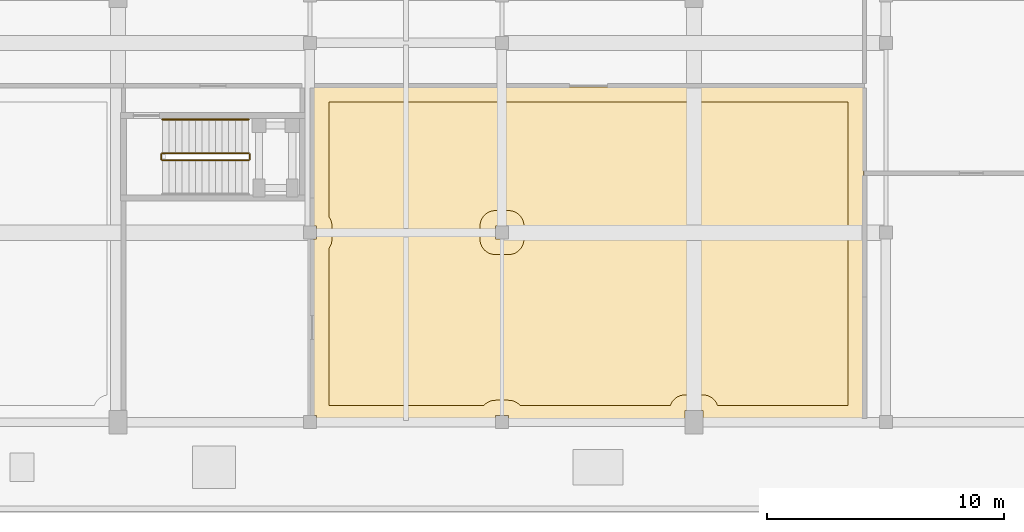
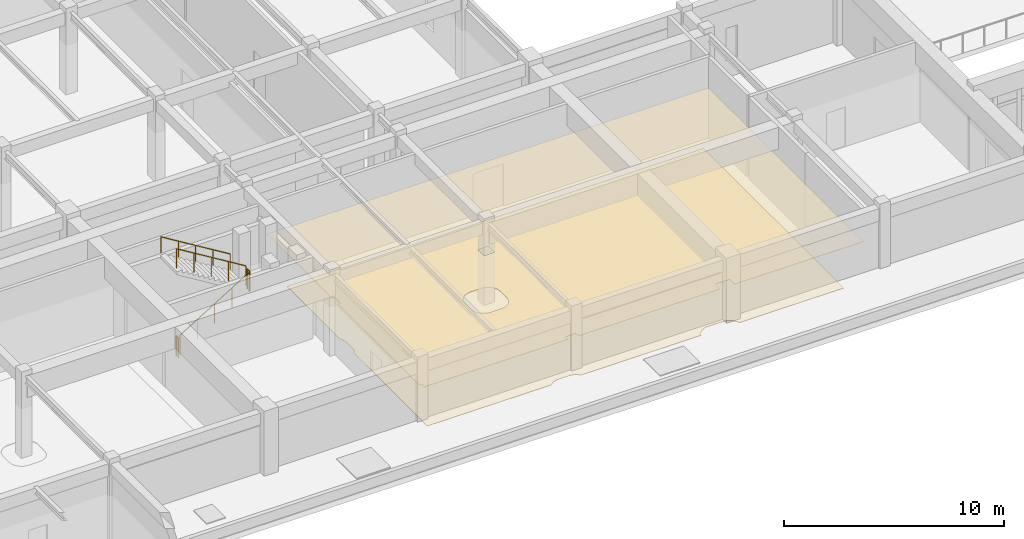
# One storey, part 52 of 61: 5 railings, 2 coverings.
"""IFC4 building model written with IfcOpenShell, lengths in metres."""

from ifc_helpers import new_model, si_unit, direction, frame, origin, origin_2d, place, context, subcontext, project, spatial, polyline, circle, outline, extrude, material, layer, layer_set, type_object, element, save


model = new_model("IFC4")

# Units and contexts
model_context = context("Model", 3, precision=1e-05, world=origin(), true_north=direction((0.0, 1.0)))
body_context = subcontext(model_context, "Body", "Model", "MODEL_VIEW")
ifc_project = project(units=[si_unit("LENGTHUNIT", "METRE"), si_unit("AREAUNIT", "SQUARE_METRE"), si_unit("VOLUMEUNIT", "CUBIC_METRE"), si_unit("PLANEANGLEUNIT", "RADIAN"), si_unit("MASSUNIT", "GRAM", prefix="KILO")], contexts=[model_context])

# Site, building, storey
site_placement = place(None, origin())
site = spatial("IfcSite", under=ifc_project, at=site_placement, CompositionType="ELEMENT")
building_placement = place(site_placement, origin())
building = spatial("IfcBuilding", under=site, at=building_placement, Name="Tarnveldt Square Police Headquarters", CompositionType="ELEMENT")
storey_placement = place(building_placement, frame((0.0, 0.0, 5.39990234375)))
storey = spatial("IfcBuildingStorey", under=building, at=storey_placement, Name="L01", CompositionType="ELEMENT", Elevation=5.39990234375)

# Coverings
ifc_material_1 = material(Name="Mineral-fibre acoustic ceiling tile", Category="gypsum")
ifc_layer_1 = layer(ifc_material_1, 0.02001953125)
ifc_layer_set_1 = layer_set([ifc_layer_1], Name="Mineral-fibre acoustic ceiling tile")
covering_type_1 = type_object("IfcCoveringType", Name="COV-CEIL-20", PredefinedType="CEILING", material=ifc_layer_set_1)
covering_1_placement = place(storey_placement, frame((0.0, 0.0, 2.75)))
element("IfcCovering", 1, at=covering_1_placement, inside=storey, type_object=covering_type_1, Name="Community Briefing and Assembly Room Acoustic Ceiling", PredefinedType="CEILING", context=body_context, shape_type="SweptSolid", body=[
    extrude(outline(polyline([(32.550048828125, 30.14990234375), (55.75, 30.14990234375), (55.75, 16.050048828125), (48.97705078125, 16.050048828125), (48.97705078125, 16.501953125), (48.222900390625, 16.501953125), (48.222900390625, 16.050048828125), (40.777099609375, 16.050048828125), (40.777099609375, 16.277099609375), (40.222900390625, 16.277099609375), (40.222900390625, 16.050048828125), (32.677001953125, 16.050048828125), (32.677001953125, 16.277099609375), (32.550048828125, 16.277099609375), (32.550048828125, 23.722900390625), (32.677001953125, 23.722900390625), (32.677001953125, 24.277099609375), (32.550048828125, 24.277099609375), (32.550048828125, 30.14990234375)]), holes=[polyline([(40.777099609375, 24.277099609375), (40.222900390625, 24.277099609375), (40.222900390625, 23.722900390625), (40.777099609375, 23.722900390625), (40.777099609375, 24.277099609375)])]), origin(), (0.0, 0.0, 1.0), 0.02001953125),
])
ifc_material_2 = material(Name="Polished cementitious terrazzo flooring", Category="concrete")
ifc_layer_2 = layer(ifc_material_2, 0.02490234375)
ifc_layer_set_2 = layer_set([ifc_layer_2], Name="Polished cementitious terrazzo flooring")
covering_type_2 = type_object("IfcCoveringType", Name="COV-FLR-25", PredefinedType="FLOORING", material=ifc_layer_set_2)
covering_2_placement = place(storey_placement, origin())
element("IfcCovering", 2, at=covering_2_placement, inside=storey, type_object=covering_type_2, Name="Community Briefing and Assembly Room Terrazzo Finish Flooring", PredefinedType="FLOORING", context=body_context, shape_type="SweptSolid", body=[
    extrude(outline(polyline([(33.199951171875, 16.699951171875), (33.199951171875, 23.33837890625), (33.217529296875, 23.36181640625), (33.250244140625, 23.41650390625), (33.277587890625, 23.474365234375), (33.299072265625, 23.534423828125), (33.314453125, 23.59619140625), (33.323974609375, 23.6591796875), (33.326904296875, 23.722900390625), (33.326904296875, 24.277099609375), (33.323974609375, 24.3408203125), (33.314453125, 24.40380859375), (33.299072265625, 24.465576171875), (33.277587890625, 24.525634765625), (33.250244140625, 24.58349609375), (33.217529296875, 24.63818359375), (33.199951171875, 24.66162109375), (33.199951171875, 29.5), (55.10009765625, 29.5), (55.10009765625, 16.699951171875), (49.595703125, 16.699951171875), (49.57763671875, 16.750732421875), (49.55029296875, 16.808349609375), (49.517333984375, 16.863037109375), (49.4794921875, 16.914306640625), (49.4365234375, 16.961669921875), (49.389404296875, 17.00439453125), (49.338134765625, 17.04248046875), (49.283447265625, 17.0751953125), (49.225830078125, 17.1025390625), (49.165771484375, 17.1240234375), (49.103759765625, 17.139404296875), (49.040771484375, 17.14892578125), (48.97705078125, 17.152099609375), (48.222900390625, 17.152099609375), (48.1591796875, 17.14892578125), (48.09619140625, 17.139404296875), (48.034423828125, 17.1240234375), (47.974365234375, 17.1025390625), (47.91650390625, 17.0751953125), (47.86181640625, 17.04248046875), (47.810546875, 17.00439453125), (47.763427734375, 16.961669921875), (47.720458984375, 16.914306640625), (47.6826171875, 16.863037109375), (47.649658203125, 16.808349609375), (47.62255859375, 16.750732421875), (47.604248046875, 16.699951171875), (41.269775390625, 16.699951171875), (41.236572265625, 16.736572265625), (41.189453125, 16.779541015625), (41.13818359375, 16.8173828125), (41.08349609375, 16.850341796875), (41.025634765625, 16.87744140625), (40.965576171875, 16.89892578125), (40.90380859375, 16.91455078125), (40.8408203125, 16.923828125), (40.777099609375, 16.927001953125), (40.222900390625, 16.927001953125), (40.1591796875, 16.923828125), (40.09619140625, 16.91455078125), (40.034423828125, 16.89892578125), (39.974365234375, 16.87744140625), (39.91650390625, 16.850341796875), (39.86181640625, 16.8173828125), (39.810546875, 16.779541015625), (39.763427734375, 16.736572265625), (39.730224609375, 16.699951171875), (33.199951171875, 16.699951171875)]), holes=[polyline([(41.427001953125, 24.277099609375), (41.423828125, 24.3408203125), (41.41455078125, 24.40380859375), (41.39892578125, 24.465576171875), (41.37744140625, 24.525634765625), (41.350341796875, 24.58349609375), (41.3173828125, 24.63818359375), (41.279541015625, 24.689453125), (41.236572265625, 24.736572265625), (41.189453125, 24.779541015625), (41.13818359375, 24.8173828125), (41.08349609375, 24.850341796875), (41.025634765625, 24.87744140625), (40.965576171875, 24.89892578125), (40.90380859375, 24.91455078125), (40.8408203125, 24.923828125), (40.777099609375, 24.927001953125), (40.222900390625, 24.927001953125), (40.1591796875, 24.923828125), (40.09619140625, 24.91455078125), (40.034423828125, 24.89892578125), (39.974365234375, 24.87744140625), (39.91650390625, 24.850341796875), (39.86181640625, 24.8173828125), (39.810546875, 24.779541015625), (39.763427734375, 24.736572265625), (39.720458984375, 24.689453125), (39.6826171875, 24.63818359375), (39.649658203125, 24.58349609375), (39.62255859375, 24.525634765625), (39.60107421875, 24.465576171875), (39.58544921875, 24.40380859375), (39.576171875, 24.3408203125), (39.572998046875, 24.277099609375), (39.572998046875, 23.722900390625), (39.576171875, 23.6591796875), (39.58544921875, 23.59619140625), (39.60107421875, 23.534423828125), (39.62255859375, 23.474365234375), (39.649658203125, 23.41650390625), (39.6826171875, 23.36181640625), (39.720458984375, 23.310546875), (39.763427734375, 23.263427734375), (39.810546875, 23.220458984375), (39.86181640625, 23.1826171875), (39.91650390625, 23.149658203125), (39.974365234375, 23.12255859375), (40.034423828125, 23.10107421875), (40.09619140625, 23.08544921875), (40.1591796875, 23.076171875), (40.222900390625, 23.072998046875), (40.777099609375, 23.072998046875), (40.8408203125, 23.076171875), (40.90380859375, 23.08544921875), (40.965576171875, 23.10107421875), (41.025634765625, 23.12255859375), (41.08349609375, 23.149658203125), (41.13818359375, 23.1826171875), (41.189453125, 23.220458984375), (41.236572265625, 23.263427734375), (41.279541015625, 23.310546875), (41.3173828125, 23.36181640625), (41.350341796875, 23.41650390625), (41.37744140625, 23.474365234375), (41.39892578125, 23.534423828125), (41.41455078125, 23.59619140625), (41.423828125, 23.6591796875), (41.427001953125, 23.722900390625), (41.427001953125, 24.277099609375)])]), origin(), (0.0, 0.0, 1.0), 0.025146484375),
])

# Railings
ifc_material_3 = material(Name="Steel 350W", Category="steel")
railing_type_1 = type_object("IfcRailingType", Name="RL-GR-1100", PredefinedType="GUARDRAIL", material=ifc_material_3)
railing_1_placement = place(storey_placement, frame((26.169921875, 27.050048828125, 0.171630859375)))
element("IfcRailing", 3, at=railing_1_placement, inside=storey, type_object=railing_type_1, Name="L01 ST6 stair guard 1", PredefinedType="GUARDRAIL", context=body_context, shape_type="SweptSolid", body=[
    extrude(circle(Radius=0.02392578125, at=origin_2d()), frame((0.0, 0.0, 1.076171875), z_axis=(0.852865859571, 0.0, 0.52213008492), x_axis=(0.0, 1.0, 0.0)), (0.0, 0.0, 1.0), 4.26806640625),
    extrude(circle(Radius=0.02099609375, at=origin_2d()), origin(), (0.0, 0.0, 1.0), 1.052001953125),
    extrude(circle(Radius=0.02099609375, at=origin_2d()), frame((0.91015625, 0.0, 0.55712890625)), (0.0, 0.0, 1.0), 1.052001953125),
    extrude(circle(Radius=0.02099609375, at=origin_2d()), frame((1.820068359375, 0.0, 1.1142578125)), (0.0, 0.0, 1.0), 1.052001953125),
    extrude(circle(Radius=0.02099609375, at=origin_2d()), frame((2.72998046875, 0.0, 1.67138671875)), (0.0, 0.0, 1.0), 1.052001953125),
    extrude(circle(Radius=0.02099609375, at=origin_2d()), frame((3.64013671875, 0.0, 2.228515625)), (0.0, 0.0, 1.0), 1.052001953125),
])
railing_2_placement = place(storey_placement, frame((29.860107421875, 27.10009765625, 2.400146484375)))
element("IfcRailing", 4, at=railing_2_placement, inside=storey, type_object=railing_type_1, Name="L01 ST6 stair guard 2", PredefinedType="GUARDRAIL", context=body_context, shape_type="SweptSolid", body=[
    extrude(circle(Radius=0.02392578125, at=origin_2d()), frame((0.0, 0.0, 1.076171875), z_axis=(0.0, 1.0, 0.0), x_axis=(-1.0, 0.0, 0.0)), (0.0, 0.0, 1.0), 0.199951171875),
    extrude(circle(Radius=0.02099609375, at=origin_2d()), origin(), (0.0, 0.0, 1.0), 1.052001953125),
    extrude(circle(Radius=0.02099609375, at=origin_2d()), frame((0.0, 0.199951171875, 0.0)), (0.0, 0.0, 1.0), 1.052001953125),
])
railing_3_placement = place(storey_placement, frame((29.81005859375, 27.35009765625, 2.571533203125)))
element("IfcRailing", 5, at=railing_3_placement, inside=storey, type_object=railing_type_1, Name="L01 ST6 stair guard 3", PredefinedType="GUARDRAIL", context=body_context, shape_type="SweptSolid", body=[
    extrude(circle(Radius=0.02392578125, at=origin_2d()), frame((0.0, 0.0, 1.076171875), z_axis=(-0.852865859571, 0.0, 0.52213008492), x_axis=(0.0, -1.0, 0.0)), (0.0, 0.0, 1.0), 4.26806640625),
    extrude(circle(Radius=0.02099609375, at=origin_2d()), origin(), (0.0, 0.0, 1.0), 1.052001953125),
    extrude(circle(Radius=0.02099609375, at=origin_2d()), frame((-0.91015625, 0.0, 0.55712890625)), (0.0, 0.0, 1.0), 1.052001953125),
    extrude(circle(Radius=0.02099609375, at=origin_2d()), frame((-1.820068359375, 0.0, 1.1142578125)), (0.0, 0.0, 1.0), 1.052001953125),
    extrude(circle(Radius=0.02099609375, at=origin_2d()), frame((-2.72998046875, 0.0, 1.67138671875)), (0.0, 0.0, 1.0), 1.052001953125),
    extrude(circle(Radius=0.02099609375, at=origin_2d()), frame((-3.64013671875, 0.0, 2.228515625)), (0.0, 0.0, 1.0), 1.052001953125),
])
railing_4_placement = place(storey_placement, frame((26.1201171875, 27.10009765625, 0.0)))
element("IfcRailing", 6, at=railing_4_placement, inside=storey, type_object=railing_type_1, Name="L01 ST6 stair guard 4", PredefinedType="GUARDRAIL", context=body_context, shape_type="SweptSolid", body=[
    extrude(circle(Radius=0.02392578125, at=origin_2d()), frame((0.0, 0.0, 1.076171875), z_axis=(0.0, 1.0, 0.0), x_axis=(-1.0, 0.0, 0.0)), (0.0, 0.0, 1.0), 0.199951171875),
    extrude(circle(Radius=0.02099609375, at=origin_2d()), origin(), (0.0, 0.0, 1.0), 1.052001953125),
    extrude(circle(Radius=0.02099609375, at=origin_2d()), frame((0.0, 0.199951171875, 0.0)), (0.0, 0.0, 1.0), 1.052001953125),
])
railing_type_2 = type_object("IfcRailingType", Name="RL-HR-900", PredefinedType="HANDRAIL", material=ifc_material_3)
railing_5_placement = place(storey_placement, frame((29.81005859375, 28.77001953125, 2.571533203125)))
element("IfcRailing", 7, at=railing_5_placement, inside=storey, type_object=railing_type_2, Name="L01 ST6 stair handrail 2", PredefinedType="HANDRAIL", context=body_context, shape_type="SweptSolid", body=[
    extrude(circle(Radius=0.02392578125, at=origin_2d()), frame((0.0, 0.0, 0.8759765625), z_axis=(-0.852865859571, 0.0, 0.52213008492), x_axis=(0.0, -1.0, 0.0)), (0.0, 0.0, 1.0), 4.26806640625),
    extrude(circle(Radius=0.02099609375, at=origin_2d()), origin(), (0.0, 0.0, 1.0), 0.851806640625),
    extrude(circle(Radius=0.02099609375, at=origin_2d()), frame((-0.91015625, 0.0, 0.55712890625)), (0.0, 0.0, 1.0), 0.851806640625),
    extrude(circle(Radius=0.02099609375, at=origin_2d()), frame((-1.820068359375, 0.0, 1.1142578125)), (0.0, 0.0, 1.0), 0.851806640625),
    extrude(circle(Radius=0.02099609375, at=origin_2d()), frame((-2.72998046875, 0.0, 1.67138671875)), (0.0, 0.0, 1.0), 0.851806640625),
    extrude(circle(Radius=0.02099609375, at=origin_2d()), frame((-3.64013671875, 0.0, 2.228515625)), (0.0, 0.0, 1.0), 0.851806640625),
])

save(model, "model.ifc")
